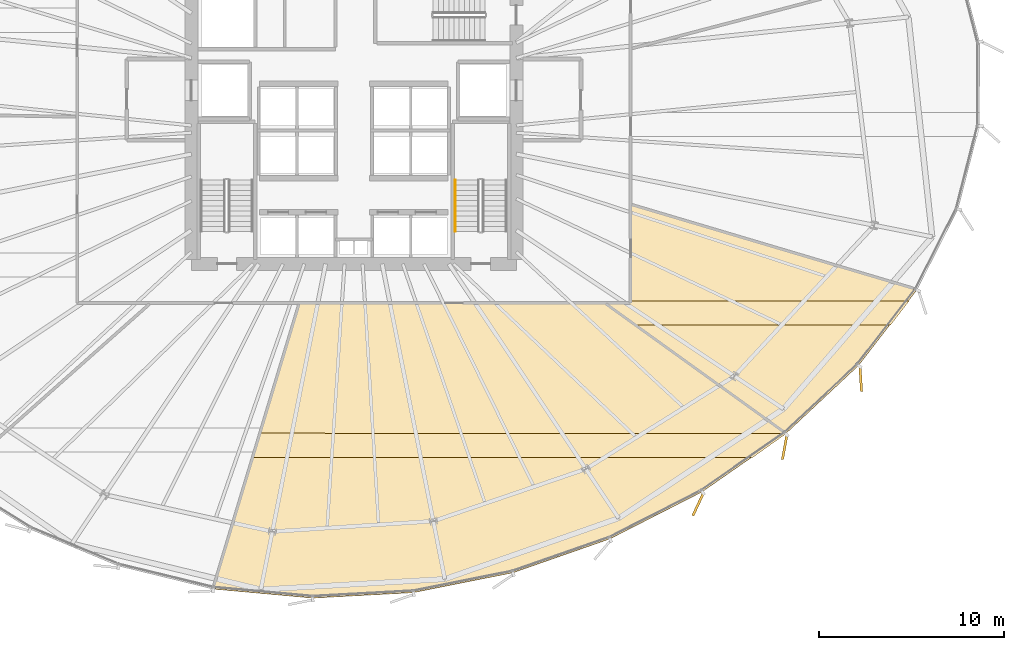
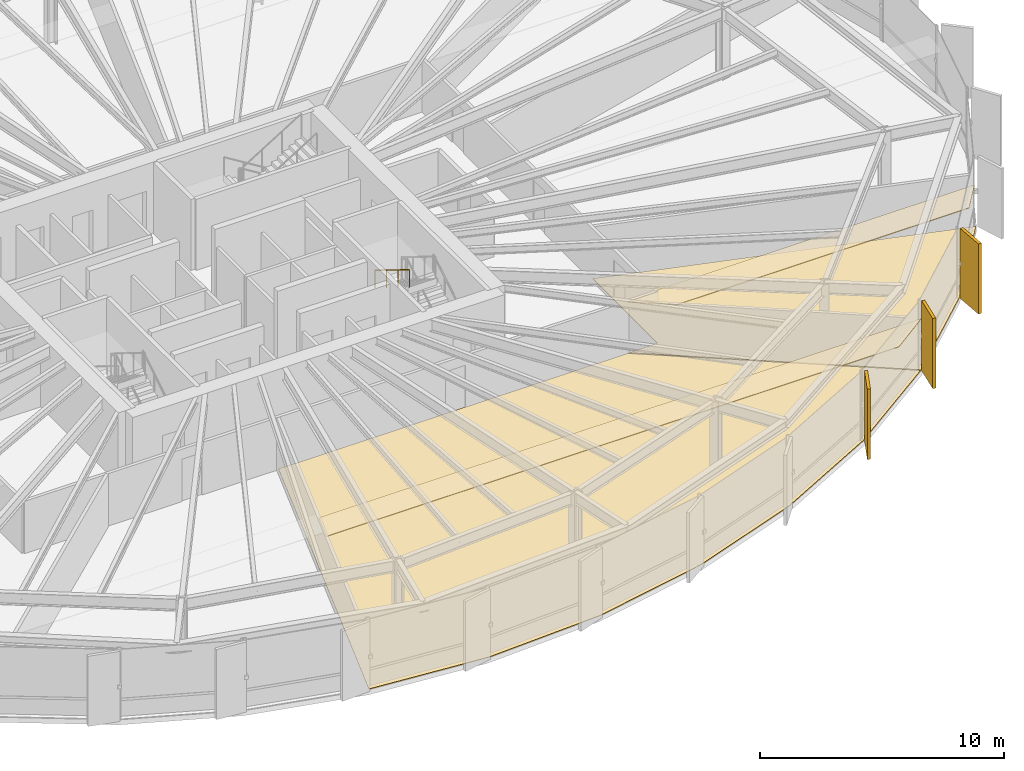
# One storey, part 35 of 37: 7 coverings, 1 railing.
"""IFC4 building model written with IfcOpenShell, lengths in metres."""

from ifc_helpers import new_model, si_unit, direction, frame, origin, origin_2d, place, context, subcontext, project, spatial, polyline, rectangle, circle, outline, extrude, source, transform, mapped, material, layer, layer_set, type_object, element, save


model = new_model("IFC4")

# Units and contexts
model_context = context("Model", 3, precision=1e-05, world=origin(), true_north=direction((0.0, 1.0)))
body_context = subcontext(model_context, "Body", "Model", "MODEL_VIEW")
ifc_project = project(units=[si_unit("LENGTHUNIT", "METRE"), si_unit("AREAUNIT", "SQUARE_METRE"), si_unit("VOLUMEUNIT", "CUBIC_METRE"), si_unit("PLANEANGLEUNIT", "RADIAN"), si_unit("MASSUNIT", "GRAM", prefix="KILO"), si_unit("THERMODYNAMICTEMPERATUREUNIT", "KELVIN")], contexts=[model_context])

# Site, building, storey
site_placement = place(None, origin())
site = spatial("IfcSite", under=ifc_project, at=site_placement, CompositionType="ELEMENT")
building_placement = place(site_placement, origin())
building = spatial("IfcBuilding", under=site, at=building_placement, Name="Kethvar Cultural Tower", CompositionType="ELEMENT")
storey_placement = place(building_placement, frame((0.0, 0.0, 60.0)))
storey = spatial("IfcBuildingStorey", under=building, at=storey_placement, Name="L14", CompositionType="ELEMENT", Elevation=60.0)

# Coverings
ifc_material_1 = material(Name="Acoustic Mineral Fibre Ceiling")
ifc_layer_1 = layer(ifc_material_1, 0.0400390625, Name="Acoustic Mineral Fibre Ceiling")
ifc_layer_set_1 = layer_set([ifc_layer_1], Name="Acoustic Mineral Fibre Ceiling (40 mm)")
covering_type_1 = type_object("IfcCoveringType", Name="CV-ACOUSTIC-CEIL", PredefinedType="CEILING", material=ifc_layer_set_1)
covering_1_placement = place(storey_placement, frame((0.0, 0.0, 2.56005859375)))
element("IfcCovering", 1, at=covering_1_placement, inside=storey, type_object=covering_type_1, Name="L14 Room 02 Acoustic Ceiling Panel", PredefinedType="CEILING", context=body_context, shape_type="SweptSolid", body=[
    extrude(outline(polyline([(70.219482421875, 10.905029296875), (68.413330078125, 9.6181640625), (41.310302734375, 9.6181640625), (41.704345703125, 10.927978515625), (70.219482421875, 10.905029296875)])), origin(), (0.0, 0.0, 1.0), 0.0400390625),
])
covering_2_placement = place(storey_placement, frame((0.0, 0.0, 2.56005859375)))
element("IfcCovering", 2, at=covering_2_placement, inside=storey, type_object=covering_type_1, Name="L14 Room 03 Acoustic Ceiling Panel", PredefinedType="CEILING", context=body_context, shape_type="SweptSolid", body=[
    extrude(outline(polyline([(60.380859375, 17.9638671875), (61.77001953125, 18.0), (61.77001953125, 18.08642578125), (76.87939453125, 18.08642578125), (75.868896484375, 16.7763671875), (62.0244140625, 16.7763671875), (60.380859375, 17.9638671875)])), origin(), (0.0, 0.0, 1.0), 0.0400390625),
])
ifc_material_2 = material(Name="Architectural Oak Timber", Category="wood")
ifc_layer_2 = layer(ifc_material_2, 0.02490234375, Name="Architectural Oak Timber", Category="wood")
ifc_layer_set_2 = layer_set([ifc_layer_2], Name="Architectural Oak Timber (25 mm)")
covering_type_2 = type_object("IfcCoveringType", Name="CV-OAK-FLOOR", PredefinedType="FLOORING", material=ifc_layer_set_2)
covering_3_placement = place(storey_placement, origin())
element("IfcCovering", 3, at=covering_3_placement, inside=storey, type_object=covering_type_2, Name="L14 Room 02 Floor Finish", PredefinedType="FLOORING", context=body_context, shape_type="SweptSolid", body=[
    extrude(outline(polyline([(70.171630859375, 10.890380859375), (65.64306640625, 7.7392578125), (60.66259765625, 5.200439453125), (55.41259765625, 3.36767578125), (50.022216796875, 2.29296875), (44.569091796875, 1.997802734375), (39.206298828125, 2.48486328125), (43.861083984375, 17.9599609375), (60.385986328125, 17.9599609375), (70.171630859375, 10.890380859375)])), origin(), (0.0, 0.0, 1.0), 0.02490234375),
])
covering_4_placement = place(storey_placement, origin())
element("IfcCovering", 4, at=covering_4_placement, inside=storey, type_object=covering_type_2, Name="L14 Room 03 Floor Finish", PredefinedType="FLOORING", context=body_context, shape_type="SweptSolid", body=[
    extrude(outline(polyline([(74.138671875, 14.598876953125), (70.20458984375, 10.916015625), (60.454345703125, 17.9599609375), (61.80908203125, 17.97412109375), (61.81005859375, 23.297607421875), (77.284912109375, 18.677490234375), (74.138671875, 14.598876953125)])), origin(), (0.0, 0.0, 1.0), 0.02490234375),
])

# Railing
ifc_material_3 = material(Name="Steel S355J2", Category="steel")
railing_type = type_object("IfcRailingType", Name="RL-STAIR-HANDRAIL", PredefinedType="HANDRAIL", material=ifc_material_3)
railing_placement = place(storey_placement, frame((52.300048828125, 24.64990234375, 2.07275390625)))
element("IfcRailing", 5, at=railing_placement, inside=storey, type_object=railing_type, Name="L14 ST-02 stair handrail 2", PredefinedType="HANDRAIL", context=body_context, shape_type="SweptSolid", body=[
    extrude(circle(Radius=0.02392578125, at=origin_2d()), frame((0.0, 0.0, 0.8759765625), z_axis=(0.0, -0.851069175582, 0.525053576669), x_axis=(1.0, 0.0, 0.0)), (0.0, 0.0, 1.0), 3.289794921875),
    extrude(circle(Radius=0.02099609375, at=origin_2d()), origin(), (0.0, 0.0, 1.0), 0.851806640625),
    extrude(circle(Radius=0.02099609375, at=origin_2d()), frame((0.0, -0.933349609375, 0.57568359375)), (0.0, 0.0, 1.0), 0.851806640625),
    extrude(circle(Radius=0.02099609375, at=origin_2d()), frame((0.0, -1.866455078125, 1.151611328125)), (0.0, 0.0, 1.0), 0.851806640625),
    extrude(circle(Radius=0.02099609375, at=origin_2d()), frame((0.0, -2.7998046875, 1.727294921875)), (0.0, 0.0, 1.0), 0.851806640625),
])

# Coverings
ifc_material_4 = material(Name="Extruded Architectural Terracotta", Category="masonry")
ifc_layer_3 = layer(ifc_material_4, 0.135009765625, Name="Extruded Architectural Terracotta", Category="masonry")
ifc_layer_set_3 = layer_set([ifc_layer_3], Name="Extruded Architectural Terracotta (135 mm)")
covering_type_3 = type_object("IfcCoveringType", Name="Terracotta Facade Fin FIN-01", PredefinedType="CLADDING", material=ifc_layer_set_3)
shared_shape = source(origin(), body_context, "Body", "SweptSolid", [
    extrude(rectangle(XDim=1.35009765625, YDim=0.135009765625, at=origin_2d()), origin(), (0.0, 0.0, 1.0), 3.510009765625),
])
for number, where, z_axis, x_axis, name in (
    (6, (65.44921875, 7.068359375, 0.02001953125), (0.0, 0.0, 1.0), (-0.421510682766, -0.90682343613, 0.0), "L14 Vertical Terracotta Fin 6.1"),
    (7, (70.13916015625, 10.167724609375, 0.02001953125), (0.0, 0.0, 1.0), (-0.180347476896, -0.983602962367, 0.0), "L14 Vertical Terracotta Fin 6.2"),
    (8, (74.2607421875, 13.86279296875, 0.02001953125), (0.0, 0.0, 1.0), (0.065054806779, -0.997881692444, 0.0), "L14 Vertical Terracotta Fin 6.3"),
):
    element("IfcCovering", number, at=place(storey_placement, frame(where, z_axis=z_axis, x_axis=x_axis)), inside=storey, type_object=covering_type_3, Name=name, PredefinedType="CLADDING", context=body_context, shape_type="MappedRepresentation", body=[
        mapped(shared_shape, transform((0.0, 0.0, 0.0), scale=1.0)),
    ])

save(model, "model.ifc")
